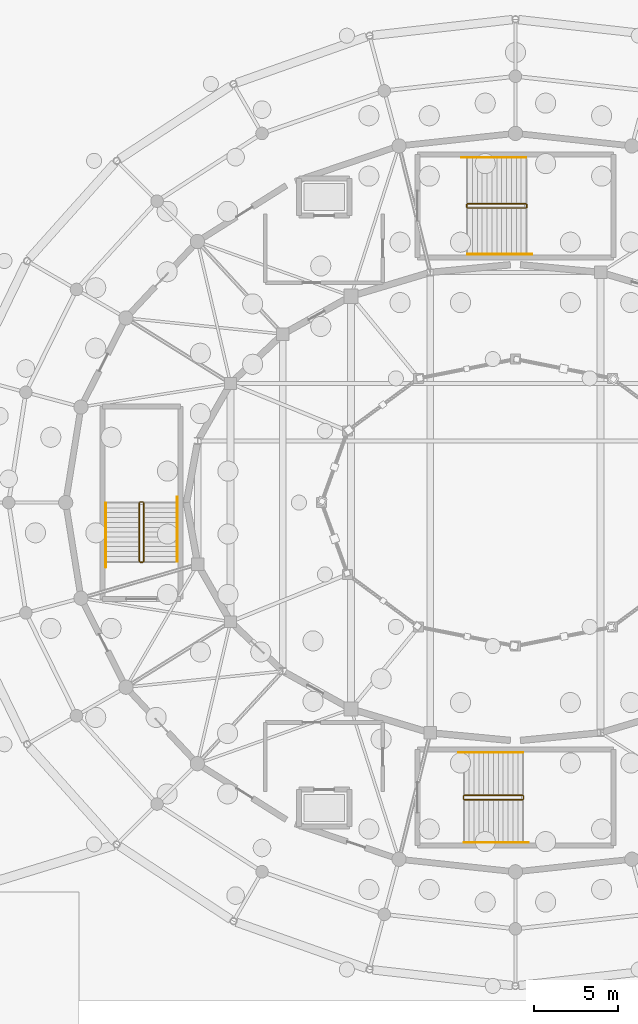
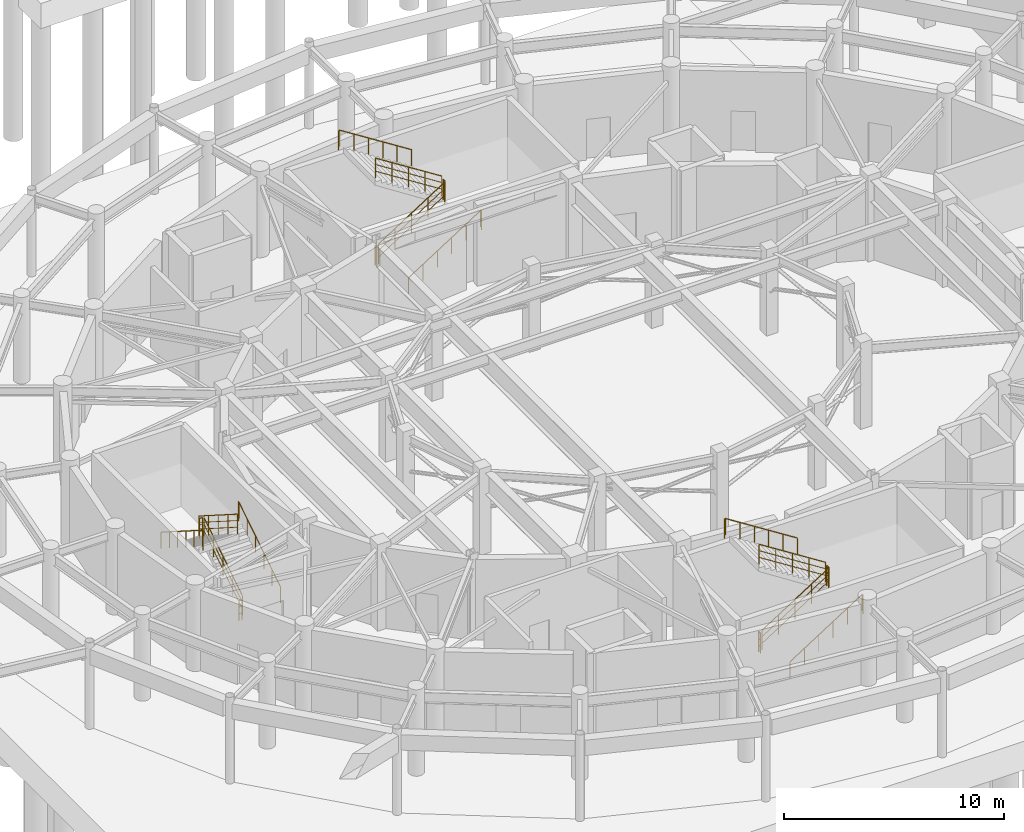
# One storey, part 64 of 68: 18 railings.
"""IFC4 building model written with IfcOpenShell, lengths in metres."""

from ifc_helpers import new_model, si_unit, direction, frame, origin, origin_2d, place, context, subcontext, project, spatial, circle, extrude, material, type_object, element, save


model = new_model("IFC4")

# Units and contexts
model_context = context("Model", 3, precision=1e-05, world=origin(), true_north=direction((0.0, 1.0)))
body_context = subcontext(model_context, "Body", "Model", "MODEL_VIEW")
ifc_project = project(units=[si_unit("LENGTHUNIT", "METRE"), si_unit("AREAUNIT", "SQUARE_METRE"), si_unit("VOLUMEUNIT", "CUBIC_METRE"), si_unit("PLANEANGLEUNIT", "RADIAN"), si_unit("MASSUNIT", "GRAM", prefix="KILO")], contexts=[model_context])

# Site, building, storey
site_placement = place(None, origin())
site = spatial("IfcSite", under=ifc_project, at=site_placement, CompositionType="ELEMENT")
building_placement = place(site_placement, origin())
building = spatial("IfcBuilding", under=site, at=building_placement, Name="Cinderbank Siding Concert Hall", CompositionType="ELEMENT")
storey_placement = place(building_placement, frame((0.0, 0.0, -4.800048828125)))
storey = spatial("IfcBuildingStorey", under=building, at=storey_placement, Name="B1", CompositionType="ELEMENT", Elevation=-4.800048828125)

# Railings
ifc_material = material(Name="Structural steel AS/NZS 3679.1 Grade 350 (340 MPa)", Category="steel")
railing_type_1 = type_object("IfcRailingType", Name="STG-01 Stair Well Guardrail 1120mm", PredefinedType="GUARDRAIL", material=ifc_material)
railing_1_placement = place(storey_placement, frame((119.14990234375, 61.550048828125, 0.1845703125)))
element("IfcRailing", 1, at=railing_1_placement, inside=storey, type_object=railing_type_1, Name="B1 ST-01 stair guard 1", PredefinedType="GUARDRAIL", context=body_context, shape_type="SweptSolid", body=[
    extrude(circle(Radius=0.02392578125, at=origin_2d()), frame((0.0, 0.0, 1.09619140625), z_axis=(0.843546938479, 0.0, 0.53705545578), x_axis=(0.0, 1.0, 0.0)), (0.0, 0.0, 1.0), 4.12548828125),
    extrude(circle(Radius=0.01611328125, at=origin_2d()), frame((0.0, 0.0, 0.36962890625), z_axis=(0.843546938479, 0.0, 0.53705545578), x_axis=(0.0, 1.0, 0.0)), (0.0, 0.0, 1.0), 4.12548828125),
    extrude(circle(Radius=0.01611328125, at=origin_2d()), frame((0.0, 0.0, 0.7392578125), z_axis=(0.843546938479, 0.0, 0.53705545578), x_axis=(0.0, 1.0, 0.0)), (0.0, 0.0, 1.0), 4.12548828125),
    extrude(circle(Radius=0.02099609375, at=origin_2d()), origin(), (0.0, 0.0, 1.0), 1.072021484375),
    extrude(circle(Radius=0.02099609375, at=origin_2d()), frame((0.8701171875, 0.0, 0.553955078125)), (0.0, 0.0, 1.0), 1.072021484375),
    extrude(circle(Radius=0.02099609375, at=origin_2d()), frame((1.739990234375, 0.0, 1.10791015625)), (0.0, 0.0, 1.0), 1.072021484375),
    extrude(circle(Radius=0.02099609375, at=origin_2d()), frame((2.60986328125, 0.0, 1.66162109375)), (0.0, 0.0, 1.0), 1.072021484375),
    extrude(circle(Radius=0.02099609375, at=origin_2d()), frame((3.47998046875, 0.0, 2.215576171875)), (0.0, 0.0, 1.0), 1.072021484375),
])
railing_2_placement = place(storey_placement, frame((122.679931640625, 61.60009765625, 2.400146484375)))
element("IfcRailing", 2, at=railing_2_placement, inside=storey, type_object=railing_type_1, Name="B1 ST-01 stair guard 2", PredefinedType="GUARDRAIL", context=body_context, shape_type="SweptSolid", body=[
    extrude(circle(Radius=0.02392578125, at=origin_2d()), frame((0.0, 0.0, 1.09619140625), z_axis=(0.0, 1.0, 0.0), x_axis=(-1.0, 0.0, 0.0)), (0.0, 0.0, 1.0), 0.159912109375),
    extrude(circle(Radius=0.01611328125, at=origin_2d()), frame((0.0, 0.0, 0.36962890625), z_axis=(0.0, 1.0, 0.0), x_axis=(-1.0, 0.0, 0.0)), (0.0, 0.0, 1.0), 0.159912109375),
    extrude(circle(Radius=0.01611328125, at=origin_2d()), frame((0.0, 0.0, 0.7392578125), z_axis=(0.0, 1.0, 0.0), x_axis=(-1.0, 0.0, 0.0)), (0.0, 0.0, 1.0), 0.159912109375),
    extrude(circle(Radius=0.02099609375, at=origin_2d()), origin(), (0.0, 0.0, 1.0), 1.072021484375),
    extrude(circle(Radius=0.02099609375, at=origin_2d()), frame((0.0, 0.159912109375, 0.0)), (0.0, 0.0, 1.0), 1.072021484375),
])
railing_3_placement = place(storey_placement, frame((122.6298828125, 61.81005859375, 2.584716796875)))
element("IfcRailing", 3, at=railing_3_placement, inside=storey, type_object=railing_type_1, Name="B1 ST-01 stair guard 3", PredefinedType="GUARDRAIL", context=body_context, shape_type="SweptSolid", body=[
    extrude(circle(Radius=0.02392578125, at=origin_2d()), frame((0.0, 0.0, 1.09619140625), z_axis=(-0.843573748531, 0.0, 0.537013343214), x_axis=(0.0, -1.0, 0.0)), (0.0, 0.0, 1.0), 4.125244140625),
    extrude(circle(Radius=0.01611328125, at=origin_2d()), frame((0.0, 0.0, 0.36962890625), z_axis=(-0.843573748531, 0.0, 0.537013343214), x_axis=(0.0, -1.0, 0.0)), (0.0, 0.0, 1.0), 4.125244140625),
    extrude(circle(Radius=0.01611328125, at=origin_2d()), frame((0.0, 0.0, 0.7392578125), z_axis=(-0.843573748531, 0.0, 0.537013343214), x_axis=(0.0, -1.0, 0.0)), (0.0, 0.0, 1.0), 4.125244140625),
    extrude(circle(Radius=0.02099609375, at=origin_2d()), origin(), (0.0, 0.0, 1.0), 1.072021484375),
    extrude(circle(Radius=0.02099609375, at=origin_2d()), frame((-0.8701171875, 0.0, 0.5537109375)), (0.0, 0.0, 1.0), 1.072021484375),
    extrude(circle(Radius=0.02099609375, at=origin_2d()), frame((-1.739990234375, 0.0, 1.107666015625)), (0.0, 0.0, 1.0), 1.072021484375),
    extrude(circle(Radius=0.02099609375, at=origin_2d()), frame((-2.60986328125, 0.0, 1.66162109375)), (0.0, 0.0, 1.0), 1.072021484375),
    extrude(circle(Radius=0.02099609375, at=origin_2d()), frame((-3.47998046875, 0.0, 2.21533203125)), (0.0, 0.0, 1.0), 1.072021484375),
])
railing_4_placement = place(storey_placement, frame((119.10009765625, 61.60009765625, 0.0)))
element("IfcRailing", 4, at=railing_4_placement, inside=storey, type_object=railing_type_1, Name="B1 ST-01 stair guard 4", PredefinedType="GUARDRAIL", context=body_context, shape_type="SweptSolid", body=[
    extrude(circle(Radius=0.02392578125, at=origin_2d()), frame((0.0, 0.0, 1.09619140625), z_axis=(0.0, 1.0, 0.0), x_axis=(-1.0, 0.0, 0.0)), (0.0, 0.0, 1.0), 0.159912109375),
    extrude(circle(Radius=0.01611328125, at=origin_2d()), frame((0.0, 0.0, 0.36962890625), z_axis=(0.0, 1.0, 0.0), x_axis=(-1.0, 0.0, 0.0)), (0.0, 0.0, 1.0), 0.159912109375),
    extrude(circle(Radius=0.01611328125, at=origin_2d()), frame((0.0, 0.0, 0.7392578125), z_axis=(0.0, 1.0, 0.0), x_axis=(-1.0, 0.0, 0.0)), (0.0, 0.0, 1.0), 0.159912109375),
    extrude(circle(Radius=0.02099609375, at=origin_2d()), origin(), (0.0, 0.0, 1.0), 1.072021484375),
    extrude(circle(Radius=0.02099609375, at=origin_2d()), frame((0.0, 0.159912109375, 0.0)), (0.0, 0.0, 1.0), 1.072021484375),
])
railing_5_placement = place(storey_placement, frame((118.949951171875, 26.300048828125, 0.1845703125)))
element("IfcRailing", 5, at=railing_5_placement, inside=storey, type_object=railing_type_1, Name="B1 ST-02 stair guard 1", PredefinedType="GUARDRAIL", context=body_context, shape_type="SweptSolid", body=[
    extrude(circle(Radius=0.02392578125, at=origin_2d()), frame((0.0, 0.0, 1.09619140625), z_axis=(0.843546938479, 0.0, 0.53705545578), x_axis=(0.0, 1.0, 0.0)), (0.0, 0.0, 1.0), 4.12548828125),
    extrude(circle(Radius=0.01611328125, at=origin_2d()), frame((0.0, 0.0, 0.36962890625), z_axis=(0.843546938479, 0.0, 0.53705545578), x_axis=(0.0, 1.0, 0.0)), (0.0, 0.0, 1.0), 4.12548828125),
    extrude(circle(Radius=0.01611328125, at=origin_2d()), frame((0.0, 0.0, 0.7392578125), z_axis=(0.843546938479, 0.0, 0.53705545578), x_axis=(0.0, 1.0, 0.0)), (0.0, 0.0, 1.0), 4.12548828125),
    extrude(circle(Radius=0.02099609375, at=origin_2d()), origin(), (0.0, 0.0, 1.0), 1.072021484375),
    extrude(circle(Radius=0.02099609375, at=origin_2d()), frame((0.8701171875, 0.0, 0.553955078125)), (0.0, 0.0, 1.0), 1.072021484375),
    extrude(circle(Radius=0.02099609375, at=origin_2d()), frame((1.739990234375, 0.0, 1.10791015625)), (0.0, 0.0, 1.0), 1.072021484375),
    extrude(circle(Radius=0.02099609375, at=origin_2d()), frame((2.60986328125, 0.0, 1.66162109375)), (0.0, 0.0, 1.0), 1.072021484375),
    extrude(circle(Radius=0.02099609375, at=origin_2d()), frame((3.47998046875, 0.0, 2.215576171875)), (0.0, 0.0, 1.0), 1.072021484375),
])
railing_6_placement = place(storey_placement, frame((122.47998046875, 26.35009765625, 2.400146484375)))
element("IfcRailing", 6, at=railing_6_placement, inside=storey, type_object=railing_type_1, Name="B1 ST-02 stair guard 2", PredefinedType="GUARDRAIL", context=body_context, shape_type="SweptSolid", body=[
    extrude(circle(Radius=0.02392578125, at=origin_2d()), frame((0.0, 0.0, 1.09619140625), z_axis=(0.0, 1.0, 0.0), x_axis=(-1.0, 0.0, 0.0)), (0.0, 0.0, 1.0), 0.159912109375),
    extrude(circle(Radius=0.01611328125, at=origin_2d()), frame((0.0, 0.0, 0.36962890625), z_axis=(0.0, 1.0, 0.0), x_axis=(-1.0, 0.0, 0.0)), (0.0, 0.0, 1.0), 0.159912109375),
    extrude(circle(Radius=0.01611328125, at=origin_2d()), frame((0.0, 0.0, 0.7392578125), z_axis=(0.0, 1.0, 0.0), x_axis=(-1.0, 0.0, 0.0)), (0.0, 0.0, 1.0), 0.159912109375),
    extrude(circle(Radius=0.02099609375, at=origin_2d()), origin(), (0.0, 0.0, 1.0), 1.072021484375),
    extrude(circle(Radius=0.02099609375, at=origin_2d()), frame((0.0, 0.159912109375, 0.0)), (0.0, 0.0, 1.0), 1.072021484375),
])
railing_7_placement = place(storey_placement, frame((122.429931640625, 26.56005859375, 2.584716796875)))
element("IfcRailing", 7, at=railing_7_placement, inside=storey, type_object=railing_type_1, Name="B1 ST-02 stair guard 3", PredefinedType="GUARDRAIL", context=body_context, shape_type="SweptSolid", body=[
    extrude(circle(Radius=0.02392578125, at=origin_2d()), frame((0.0, 0.0, 1.09619140625), z_axis=(-0.843573748531, 0.0, 0.537013343214), x_axis=(0.0, -1.0, 0.0)), (0.0, 0.0, 1.0), 4.125244140625),
    extrude(circle(Radius=0.01611328125, at=origin_2d()), frame((0.0, 0.0, 0.36962890625), z_axis=(-0.843573748531, 0.0, 0.537013343214), x_axis=(0.0, -1.0, 0.0)), (0.0, 0.0, 1.0), 4.125244140625),
    extrude(circle(Radius=0.01611328125, at=origin_2d()), frame((0.0, 0.0, 0.7392578125), z_axis=(-0.843573748531, 0.0, 0.537013343214), x_axis=(0.0, -1.0, 0.0)), (0.0, 0.0, 1.0), 4.125244140625),
    extrude(circle(Radius=0.02099609375, at=origin_2d()), origin(), (0.0, 0.0, 1.0), 1.072021484375),
    extrude(circle(Radius=0.02099609375, at=origin_2d()), frame((-0.8701171875, 0.0, 0.5537109375)), (0.0, 0.0, 1.0), 1.072021484375),
    extrude(circle(Radius=0.02099609375, at=origin_2d()), frame((-1.739990234375, 0.0, 1.107666015625)), (0.0, 0.0, 1.0), 1.072021484375),
    extrude(circle(Radius=0.02099609375, at=origin_2d()), frame((-2.60986328125, 0.0, 1.66162109375)), (0.0, 0.0, 1.0), 1.072021484375),
    extrude(circle(Radius=0.02099609375, at=origin_2d()), frame((-3.47998046875, 0.0, 2.21533203125)), (0.0, 0.0, 1.0), 1.072021484375),
])
railing_8_placement = place(storey_placement, frame((118.89990234375, 26.35009765625, 0.0)))
element("IfcRailing", 8, at=railing_8_placement, inside=storey, type_object=railing_type_1, Name="B1 ST-02 stair guard 4", PredefinedType="GUARDRAIL", context=body_context, shape_type="SweptSolid", body=[
    extrude(circle(Radius=0.02392578125, at=origin_2d()), frame((0.0, 0.0, 1.09619140625), z_axis=(0.0, 1.0, 0.0), x_axis=(-1.0, 0.0, 0.0)), (0.0, 0.0, 1.0), 0.159912109375),
    extrude(circle(Radius=0.01611328125, at=origin_2d()), frame((0.0, 0.0, 0.36962890625), z_axis=(0.0, 1.0, 0.0), x_axis=(-1.0, 0.0, 0.0)), (0.0, 0.0, 1.0), 0.159912109375),
    extrude(circle(Radius=0.01611328125, at=origin_2d()), frame((0.0, 0.0, 0.7392578125), z_axis=(0.0, 1.0, 0.0), x_axis=(-1.0, 0.0, 0.0)), (0.0, 0.0, 1.0), 0.159912109375),
    extrude(circle(Radius=0.02099609375, at=origin_2d()), origin(), (0.0, 0.0, 1.0), 1.072021484375),
    extrude(circle(Radius=0.02099609375, at=origin_2d()), frame((0.0, 0.159912109375, 0.0)), (0.0, 0.0, 1.0), 1.072021484375),
])
railing_9_placement = place(storey_placement, frame((99.85009765625, 40.5, 0.1845703125)))
element("IfcRailing", 9, at=railing_9_placement, inside=storey, type_object=railing_type_1, Name="B1 ST-04 stair guard 1", PredefinedType="GUARDRAIL", context=body_context, shape_type="SweptSolid", body=[
    extrude(circle(Radius=0.02392578125, at=origin_2d()), frame((0.0, 0.0, 1.09619140625), z_axis=(0.0, 0.843546938479, 0.53705545578), x_axis=(-1.0, 0.0, 0.0)), (0.0, 0.0, 1.0), 4.12548828125),
    extrude(circle(Radius=0.01611328125, at=origin_2d()), frame((0.0, 0.0, 0.36962890625), z_axis=(0.0, 0.843546938479, 0.53705545578), x_axis=(-1.0, 0.0, 0.0)), (0.0, 0.0, 1.0), 4.12548828125),
    extrude(circle(Radius=0.01611328125, at=origin_2d()), frame((0.0, 0.0, 0.7392578125), z_axis=(0.0, 0.843546938479, 0.53705545578), x_axis=(-1.0, 0.0, 0.0)), (0.0, 0.0, 1.0), 4.12548828125),
    extrude(circle(Radius=0.02099609375, at=origin_2d()), origin(), (0.0, 0.0, 1.0), 1.072021484375),
    extrude(circle(Radius=0.02099609375, at=origin_2d()), frame((0.0, 0.8701171875, 0.553955078125)), (0.0, 0.0, 1.0), 1.072021484375),
    extrude(circle(Radius=0.02099609375, at=origin_2d()), frame((0.0, 1.739990234375, 1.10791015625)), (0.0, 0.0, 1.0), 1.072021484375),
    extrude(circle(Radius=0.02099609375, at=origin_2d()), frame((0.0, 2.60986328125, 1.66162109375)), (0.0, 0.0, 1.0), 1.072021484375),
    extrude(circle(Radius=0.02099609375, at=origin_2d()), frame((0.0, 3.47998046875, 2.215576171875)), (0.0, 0.0, 1.0), 1.072021484375),
])
railing_10_placement = place(storey_placement, frame((99.800048828125, 44.030029296875, 2.400146484375)))
element("IfcRailing", 10, at=railing_10_placement, inside=storey, type_object=railing_type_1, Name="B1 ST-04 stair guard 2", PredefinedType="GUARDRAIL", context=body_context, shape_type="SweptSolid", body=[
    extrude(circle(Radius=0.02392578125, at=origin_2d()), frame((0.0, 0.0, 1.09619140625), z_axis=(-1.0, 0.0, 0.0), x_axis=(0.0, -1.0, 0.0)), (0.0, 0.0, 1.0), 0.16015625),
    extrude(circle(Radius=0.01611328125, at=origin_2d()), frame((0.0, 0.0, 0.36962890625), z_axis=(-1.0, 0.0, 0.0), x_axis=(0.0, -1.0, 0.0)), (0.0, 0.0, 1.0), 0.16015625),
    extrude(circle(Radius=0.01611328125, at=origin_2d()), frame((0.0, 0.0, 0.7392578125), z_axis=(-1.0, 0.0, 0.0), x_axis=(0.0, -1.0, 0.0)), (0.0, 0.0, 1.0), 0.16015625),
    extrude(circle(Radius=0.02099609375, at=origin_2d()), origin(), (0.0, 0.0, 1.0), 1.072021484375),
    extrude(circle(Radius=0.02099609375, at=origin_2d()), frame((-0.16015625, 0.0, 0.0)), (0.0, 0.0, 1.0), 1.072021484375),
])
railing_11_placement = place(storey_placement, frame((99.590087890625, 43.97998046875, 2.584716796875)))
element("IfcRailing", 11, at=railing_11_placement, inside=storey, type_object=railing_type_1, Name="B1 ST-04 stair guard 3", PredefinedType="GUARDRAIL", context=body_context, shape_type="SweptSolid", body=[
    extrude(circle(Radius=0.02392578125, at=origin_2d()), frame((0.0, 0.0, 1.09619140625), z_axis=(0.0, -0.843573748531, 0.537013343214), x_axis=(1.0, 0.0, 0.0)), (0.0, 0.0, 1.0), 4.125244140625),
    extrude(circle(Radius=0.01611328125, at=origin_2d()), frame((0.0, 0.0, 0.36962890625), z_axis=(0.0, -0.843573748531, 0.537013343214), x_axis=(1.0, 0.0, 0.0)), (0.0, 0.0, 1.0), 4.125244140625),
    extrude(circle(Radius=0.01611328125, at=origin_2d()), frame((0.0, 0.0, 0.7392578125), z_axis=(0.0, -0.843573748531, 0.537013343214), x_axis=(1.0, 0.0, 0.0)), (0.0, 0.0, 1.0), 4.125244140625),
    extrude(circle(Radius=0.02099609375, at=origin_2d()), origin(), (0.0, 0.0, 1.0), 1.072021484375),
    extrude(circle(Radius=0.02099609375, at=origin_2d()), frame((0.0, -0.8701171875, 0.5537109375)), (0.0, 0.0, 1.0), 1.072021484375),
    extrude(circle(Radius=0.02099609375, at=origin_2d()), frame((0.0, -1.739990234375, 1.107666015625)), (0.0, 0.0, 1.0), 1.072021484375),
    extrude(circle(Radius=0.02099609375, at=origin_2d()), frame((0.0, -2.60986328125, 1.66162109375)), (0.0, 0.0, 1.0), 1.072021484375),
    extrude(circle(Radius=0.02099609375, at=origin_2d()), frame((0.0, -3.47998046875, 2.21533203125)), (0.0, 0.0, 1.0), 1.072021484375),
])
railing_12_placement = place(storey_placement, frame((99.800048828125, 40.449951171875, 0.0)))
element("IfcRailing", 12, at=railing_12_placement, inside=storey, type_object=railing_type_1, Name="B1 ST-04 stair guard 4", PredefinedType="GUARDRAIL", context=body_context, shape_type="SweptSolid", body=[
    extrude(circle(Radius=0.02392578125, at=origin_2d()), frame((0.0, 0.0, 1.09619140625), z_axis=(-1.0, 0.0, 0.0), x_axis=(0.0, -1.0, 0.0)), (0.0, 0.0, 1.0), 0.16015625),
    extrude(circle(Radius=0.01611328125, at=origin_2d()), frame((0.0, 0.0, 0.36962890625), z_axis=(-1.0, 0.0, 0.0), x_axis=(0.0, -1.0, 0.0)), (0.0, 0.0, 1.0), 0.16015625),
    extrude(circle(Radius=0.01611328125, at=origin_2d()), frame((0.0, 0.0, 0.7392578125), z_axis=(-1.0, 0.0, 0.0), x_axis=(0.0, -1.0, 0.0)), (0.0, 0.0, 1.0), 0.16015625),
    extrude(circle(Radius=0.02099609375, at=origin_2d()), origin(), (0.0, 0.0, 1.0), 1.072021484375),
    extrude(circle(Radius=0.02099609375, at=origin_2d()), frame((-0.16015625, 0.0, 0.0)), (0.0, 0.0, 1.0), 1.072021484375),
])
railing_type_2 = type_object("IfcRailingType", Name="STH-01 Stair Pitch Handrail 920mm", PredefinedType="HANDRAIL", material=ifc_material)
railing_13_placement = place(storey_placement, frame((119.14990234375, 58.800048828125, 0.1845703125)))
element("IfcRailing", 13, at=railing_13_placement, inside=storey, type_object=railing_type_2, Name="B1 ST-01 stair handrail 1", PredefinedType="HANDRAIL", context=body_context, shape_type="SweptSolid", body=[
    extrude(circle(Radius=0.02392578125, at=origin_2d()), frame((0.0, 0.0, 0.89599609375), z_axis=(0.843555751359, 0.0, 0.537041613237), x_axis=(0.0, 1.0, 0.0)), (0.0, 0.0, 1.0), 4.46923828125),
    extrude(circle(Radius=0.02392578125, at=origin_2d()), frame((3.77001953125, 0.0, 3.2958984375), z_axis=(1.0, 0.0, 0.0), x_axis=(0.0, 1.0, 0.0)), (0.0, 0.0, 1.0), 0.06005859375),
    extrude(circle(Radius=0.02099609375, at=origin_2d()), origin(), (0.0, 0.0, 1.0), 0.871826171875),
    extrude(circle(Radius=0.02099609375, at=origin_2d()), frame((0.75390625, 0.0, 0.47998046875)), (0.0, 0.0, 1.0), 0.871826171875),
    extrude(circle(Radius=0.02099609375, at=origin_2d()), frame((1.508056640625, 0.0, 0.9599609375)), (0.0, 0.0, 1.0), 0.871826171875),
    extrude(circle(Radius=0.02099609375, at=origin_2d()), frame((2.261962890625, 0.0, 1.440185546875)), (0.0, 0.0, 1.0), 0.871826171875),
    extrude(circle(Radius=0.02099609375, at=origin_2d()), frame((3.01611328125, 0.0, 1.920166015625)), (0.0, 0.0, 1.0), 0.871826171875),
    extrude(circle(Radius=0.02099609375, at=origin_2d()), frame((3.77001953125, 0.0, 2.400146484375)), (0.0, 0.0, 1.0), 0.871826171875),
    extrude(circle(Radius=0.02099609375, at=origin_2d()), frame((3.830078125, 0.0, 2.215576171875)), (0.0, 0.0, 1.0), 1.056396484375),
])
railing_14_placement = place(storey_placement, frame((122.6298828125, 64.56005859375, 2.584716796875)))
element("IfcRailing", 14, at=railing_14_placement, inside=storey, type_object=railing_type_2, Name="B1 ST-01 stair handrail 2", PredefinedType="HANDRAIL", context=body_context, shape_type="SweptSolid", body=[
    extrude(circle(Radius=0.02392578125, at=origin_2d()), frame((0.0, 0.0, 0.89599609375), z_axis=(-0.843564744176, 0.0, 0.537027487549), x_axis=(0.0, -1.0, 0.0)), (0.0, 0.0, 1.0), 4.46875),
    extrude(circle(Radius=0.02392578125, at=origin_2d()), frame((-3.769775390625, 0.0, 3.2958984375), z_axis=(-1.0, 0.0, 0.0), x_axis=(0.0, -1.0, 0.0)), (0.0, 0.0, 1.0), 0.06005859375),
    extrude(circle(Radius=0.02099609375, at=origin_2d()), origin(), (0.0, 0.0, 1.0), 0.871826171875),
    extrude(circle(Radius=0.02099609375, at=origin_2d()), frame((-0.75390625, 0.0, 0.47998046875)), (0.0, 0.0, 1.0), 0.871826171875),
    extrude(circle(Radius=0.02099609375, at=origin_2d()), frame((-1.5078125, 0.0, 0.9599609375)), (0.0, 0.0, 1.0), 0.871826171875),
    extrude(circle(Radius=0.02099609375, at=origin_2d()), frame((-2.261962890625, 0.0, 1.43994140625)), (0.0, 0.0, 1.0), 0.871826171875),
    extrude(circle(Radius=0.02099609375, at=origin_2d()), frame((-3.015869140625, 0.0, 1.919921875)), (0.0, 0.0, 1.0), 0.871826171875),
    extrude(circle(Radius=0.02099609375, at=origin_2d()), frame((-3.769775390625, 0.0, 2.39990234375)), (0.0, 0.0, 1.0), 0.871826171875),
    extrude(circle(Radius=0.02099609375, at=origin_2d()), frame((-3.829833984375, 0.0, 2.21533203125)), (0.0, 0.0, 1.0), 1.056396484375),
])
railing_15_placement = place(storey_placement, frame((118.949951171875, 23.75, 0.1845703125)))
element("IfcRailing", 15, at=railing_15_placement, inside=storey, type_object=railing_type_2, Name="B1 ST-02 stair handrail 1", PredefinedType="HANDRAIL", context=body_context, shape_type="SweptSolid", body=[
    extrude(circle(Radius=0.02392578125, at=origin_2d()), frame((0.0, 0.0, 0.89599609375), z_axis=(0.843555751359, 0.0, 0.537041613237), x_axis=(0.0, 1.0, 0.0)), (0.0, 0.0, 1.0), 4.46923828125),
    extrude(circle(Radius=0.02392578125, at=origin_2d()), frame((3.77001953125, 0.0, 3.2958984375), z_axis=(1.0, 0.0, 0.0), x_axis=(0.0, 1.0, 0.0)), (0.0, 0.0, 1.0), 0.06005859375),
    extrude(circle(Radius=0.02099609375, at=origin_2d()), origin(), (0.0, 0.0, 1.0), 0.871826171875),
    extrude(circle(Radius=0.02099609375, at=origin_2d()), frame((0.75390625, 0.0, 0.47998046875)), (0.0, 0.0, 1.0), 0.871826171875),
    extrude(circle(Radius=0.02099609375, at=origin_2d()), frame((1.508056640625, 0.0, 0.9599609375)), (0.0, 0.0, 1.0), 0.871826171875),
    extrude(circle(Radius=0.02099609375, at=origin_2d()), frame((2.261962890625, 0.0, 1.440185546875)), (0.0, 0.0, 1.0), 0.871826171875),
    extrude(circle(Radius=0.02099609375, at=origin_2d()), frame((3.01611328125, 0.0, 1.920166015625)), (0.0, 0.0, 1.0), 0.871826171875),
    extrude(circle(Radius=0.02099609375, at=origin_2d()), frame((3.77001953125, 0.0, 2.400146484375)), (0.0, 0.0, 1.0), 0.871826171875),
    extrude(circle(Radius=0.02099609375, at=origin_2d()), frame((3.830078125, 0.0, 2.215576171875)), (0.0, 0.0, 1.0), 1.056396484375),
])
railing_16_placement = place(storey_placement, frame((122.429931640625, 29.110107421875, 2.584716796875)))
element("IfcRailing", 16, at=railing_16_placement, inside=storey, type_object=railing_type_2, Name="B1 ST-02 stair handrail 2", PredefinedType="HANDRAIL", context=body_context, shape_type="SweptSolid", body=[
    extrude(circle(Radius=0.02392578125, at=origin_2d()), frame((0.0, 0.0, 0.89599609375), z_axis=(-0.843580498726, 0.0, 0.537002739443), x_axis=(0.0, -1.0, 0.0)), (0.0, 0.0, 1.0), 4.468994140625),
    extrude(circle(Radius=0.02392578125, at=origin_2d()), frame((-3.77001953125, 0.0, 3.2958984375), z_axis=(-1.0, 0.0, 0.0), x_axis=(0.0, -1.0, 0.0)), (0.0, 0.0, 1.0), 0.059814453125),
    extrude(circle(Radius=0.02099609375, at=origin_2d()), origin(), (0.0, 0.0, 1.0), 0.871826171875),
    extrude(circle(Radius=0.02099609375, at=origin_2d()), frame((-0.75390625, 0.0, 0.47998046875)), (0.0, 0.0, 1.0), 0.871826171875),
    extrude(circle(Radius=0.02099609375, at=origin_2d()), frame((-1.508056640625, 0.0, 0.9599609375)), (0.0, 0.0, 1.0), 0.871826171875),
    extrude(circle(Radius=0.02099609375, at=origin_2d()), frame((-2.261962890625, 0.0, 1.43994140625)), (0.0, 0.0, 1.0), 0.871826171875),
    extrude(circle(Radius=0.02099609375, at=origin_2d()), frame((-3.01611328125, 0.0, 1.919921875)), (0.0, 0.0, 1.0), 0.871826171875),
    extrude(circle(Radius=0.02099609375, at=origin_2d()), frame((-3.77001953125, 0.0, 2.39990234375)), (0.0, 0.0, 1.0), 0.871826171875),
    extrude(circle(Radius=0.02099609375, at=origin_2d()), frame((-3.829833984375, 0.0, 2.21533203125)), (0.0, 0.0, 1.0), 1.056396484375),
])
railing_17_placement = place(storey_placement, frame((101.85009765625, 40.5, 0.1845703125)))
element("IfcRailing", 17, at=railing_17_placement, inside=storey, type_object=railing_type_2, Name="B1 ST-04 stair handrail 1", PredefinedType="HANDRAIL", context=body_context, shape_type="SweptSolid", body=[
    extrude(circle(Radius=0.02392578125, at=origin_2d()), frame((0.0, 0.0, 0.89599609375), z_axis=(0.0, 0.843555751359, 0.537041613237), x_axis=(-1.0, 0.0, 0.0)), (0.0, 0.0, 1.0), 4.46923828125),
    extrude(circle(Radius=0.02392578125, at=origin_2d()), frame((0.0, 3.77001953125, 3.2958984375), z_axis=(0.0, 1.0, 0.0), x_axis=(-1.0, 0.0, 0.0)), (0.0, 0.0, 1.0), 0.06005859375),
    extrude(circle(Radius=0.02099609375, at=origin_2d()), origin(), (0.0, 0.0, 1.0), 0.871826171875),
    extrude(circle(Radius=0.02099609375, at=origin_2d()), frame((0.0, 0.75390625, 0.47998046875)), (0.0, 0.0, 1.0), 0.871826171875),
    extrude(circle(Radius=0.02099609375, at=origin_2d()), frame((0.0, 1.508056640625, 0.9599609375)), (0.0, 0.0, 1.0), 0.871826171875),
    extrude(circle(Radius=0.02099609375, at=origin_2d()), frame((0.0, 2.261962890625, 1.440185546875)), (0.0, 0.0, 1.0), 0.871826171875),
    extrude(circle(Radius=0.02099609375, at=origin_2d()), frame((0.0, 3.01611328125, 1.920166015625)), (0.0, 0.0, 1.0), 0.871826171875),
    extrude(circle(Radius=0.02099609375, at=origin_2d()), frame((0.0, 3.77001953125, 2.400146484375)), (0.0, 0.0, 1.0), 0.871826171875),
    extrude(circle(Radius=0.02099609375, at=origin_2d()), frame((0.0, 3.830078125, 2.215576171875)), (0.0, 0.0, 1.0), 1.056396484375),
])
railing_18_placement = place(storey_placement, frame((97.590087890625, 43.97998046875, 2.584716796875)))
element("IfcRailing", 18, at=railing_18_placement, inside=storey, type_object=railing_type_2, Name="B1 ST-04 stair handrail 2", PredefinedType="HANDRAIL", context=body_context, shape_type="SweptSolid", body=[
    extrude(circle(Radius=0.02392578125, at=origin_2d()), frame((0.0, 0.0, 0.89599609375), z_axis=(0.0, -0.843580498726, 0.537002739443), x_axis=(1.0, 0.0, 0.0)), (0.0, 0.0, 1.0), 4.468994140625),
    extrude(circle(Radius=0.02392578125, at=origin_2d()), frame((0.0, -3.77001953125, 3.2958984375), z_axis=(0.0, -1.0, 0.0), x_axis=(1.0, 0.0, 0.0)), (0.0, 0.0, 1.0), 0.06005859375),
    extrude(circle(Radius=0.02099609375, at=origin_2d()), origin(), (0.0, 0.0, 1.0), 0.871826171875),
    extrude(circle(Radius=0.02099609375, at=origin_2d()), frame((0.0, -0.75390625, 0.47998046875)), (0.0, 0.0, 1.0), 0.871826171875),
    extrude(circle(Radius=0.02099609375, at=origin_2d()), frame((0.0, -1.508056640625, 0.9599609375)), (0.0, 0.0, 1.0), 0.871826171875),
    extrude(circle(Radius=0.02099609375, at=origin_2d()), frame((0.0, -2.261962890625, 1.43994140625)), (0.0, 0.0, 1.0), 0.871826171875),
    extrude(circle(Radius=0.02099609375, at=origin_2d()), frame((0.0, -3.01611328125, 1.919921875)), (0.0, 0.0, 1.0), 0.871826171875),
    extrude(circle(Radius=0.02099609375, at=origin_2d()), frame((0.0, -3.77001953125, 2.39990234375)), (0.0, 0.0, 1.0), 0.871826171875),
    extrude(circle(Radius=0.02099609375, at=origin_2d()), frame((0.0, -3.830078125, 2.21533203125)), (0.0, 0.0, 1.0), 1.056396484375),
])

save(model, "model.ifc")
